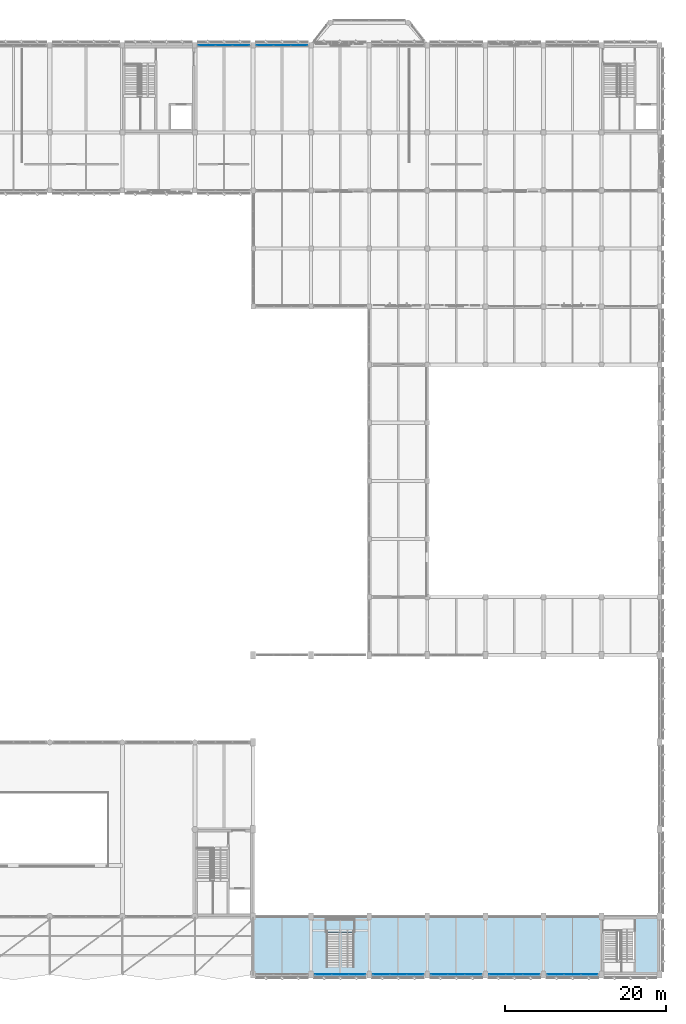
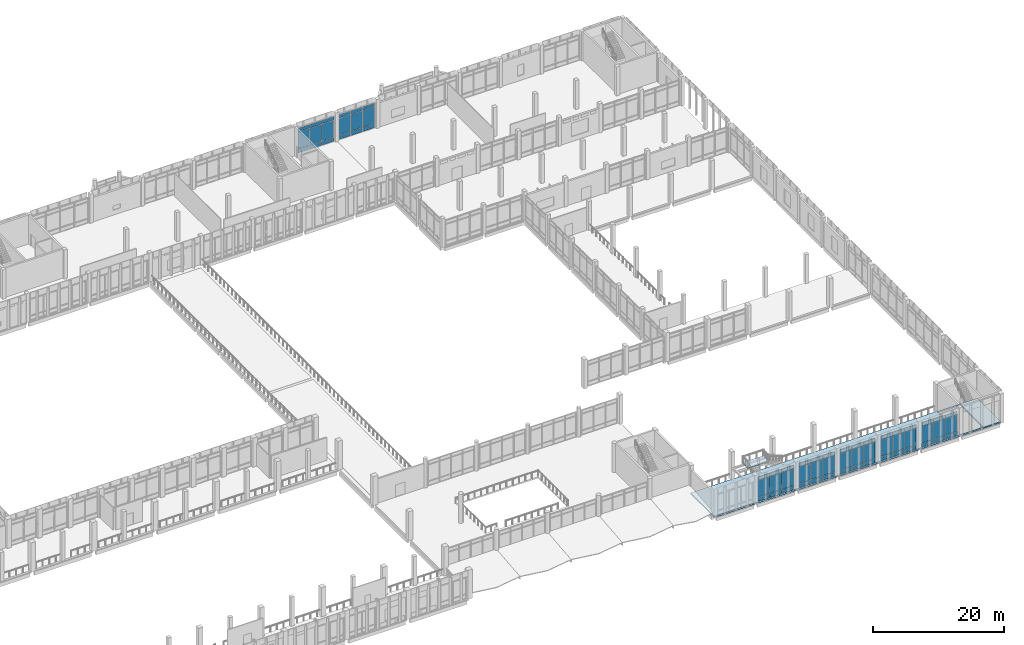
# One storey, part 148 of 180: 63 plates, 2 slabs, 8 elements without a shape of their own.
"""IFC4 building model written with IfcOpenShell, lengths in metres."""

from ifc_helpers import new_model, si_unit, direction, frame, origin, origin_2d, place, context, subcontext, project, spatial, polyline, rectangle, outline, extrude, material, layer, layer_set, type_object, element, aggregate, save


model = new_model("IFC4")

# Units and contexts
model_context = context("Model", 3, precision=1e-05, world=origin(), true_north=direction((0.0, 1.0)))
body_context = subcontext(model_context, "Body", "Model", "MODEL_VIEW")
ifc_project = project(units=[si_unit("LENGTHUNIT", "METRE"), si_unit("AREAUNIT", "SQUARE_METRE"), si_unit("VOLUMEUNIT", "CUBIC_METRE"), si_unit("PLANEANGLEUNIT", "RADIAN"), si_unit("MASSUNIT", "GRAM", prefix="KILO")], contexts=[model_context])

# Site, building, storey
site_placement = place(None, origin())
site = spatial("IfcSite", under=ifc_project, at=site_placement, CompositionType="ELEMENT")
building_placement = place(site_placement, origin())
building = spatial("IfcBuilding", under=site, at=building_placement, Name="Lusvemor Sports Hall", CompositionType="ELEMENT")
storey_placement = place(building_placement, frame((0.0, 0.0, 5.39990234375)))
storey = spatial("IfcBuildingStorey", under=building, at=storey_placement, Name="L01", CompositionType="ELEMENT", Elevation=5.39990234375)

# Curtain wall, plates
ifc_material_1 = material(Name="Thermally broken bronze-anodized aluminium", Category="aluminium")
curtain_wall_type_1 = type_object("IfcCurtainWallType", Name="CW_COURT_C", PredefinedType="NOTDEFINED", material=ifc_material_1)
curtain_wall_1_placement = place(storey_placement, origin())
curtain_wall_1 = element("IfcCurtainWall", 1, at=curtain_wall_1_placement, inside=storey, type_object=curtain_wall_type_1, Name="Curtain Wall CW-V2S-L01-1", PredefinedType="NOTDEFINED")
ifc_material_2 = material(Name="Solar-control laminated double glazing", Category="glass")
ifc_layer_1 = layer(ifc_material_2, 0.028076171875)
ifc_layer_set_1 = layer_set([ifc_layer_1], Name="Solar-control laminated double glazing")
plate_type_1 = type_object("IfcPlateType", Name="CW_PAN_GLZ_28", PredefinedType="CURTAIN_PANEL", material=ifc_layer_set_1)
plate_1_placement = place(storey_placement, frame((131.6904296875, 0.0, 0.880126953125), z_axis=(0.0, 0.0, 1.0), x_axis=(-1.0, 0.0, 0.0)))
plate_1 = element("IfcPlate", 2, at=plate_1_placement, type_object=plate_type_1, Name="CW03 panel 1.2", PredefinedType="CURTAIN_PANEL", context=body_context, shape_type="SweptSolid", body=[
    extrude(rectangle(XDim=2.00927734375, YDim=0.028076171875, at=origin_2d()), origin(), (0.0, 0.0, 1.0), 3.0400390625),
])
plate_2_placement = place(storey_placement, frame((131.6904296875, 0.0, 3.97998046875), z_axis=(0.0, 0.0, 1.0), x_axis=(-1.0, 0.0, 0.0)))
plate_2 = element("IfcPlate", 3, at=plate_2_placement, type_object=plate_type_1, Name="CW03 panel 1.3", PredefinedType="CURTAIN_PANEL", context=body_context, shape_type="SweptSolid", body=[
    extrude(rectangle(XDim=2.00927734375, YDim=0.028076171875, at=origin_2d()), origin(), (0.0, 0.0, 1.0), 0.659912109375),
])
plate_3_placement = place(storey_placement, frame((129.60009765625, 0.0, 0.880126953125), z_axis=(0.0, 0.0, 1.0), x_axis=(-1.0, 0.0, 0.0)))
plate_3 = element("IfcPlate", 4, at=plate_3_placement, type_object=plate_type_1, Name="CW03 panel 2.2", PredefinedType="CURTAIN_PANEL", context=body_context, shape_type="SweptSolid", body=[
    extrude(rectangle(XDim=2.041748046875, YDim=0.028076171875, at=origin_2d()), origin(), (0.0, 0.0, 1.0), 3.0400390625),
])
plate_4_placement = place(storey_placement, frame((129.60009765625, 0.0, 3.97998046875), z_axis=(0.0, 0.0, 1.0), x_axis=(-1.0, 0.0, 0.0)))
plate_4 = element("IfcPlate", 5, at=plate_4_placement, type_object=plate_type_1, Name="CW03 panel 2.3", PredefinedType="CURTAIN_PANEL", context=body_context, shape_type="SweptSolid", body=[
    extrude(rectangle(XDim=2.041748046875, YDim=0.028076171875, at=origin_2d()), origin(), (0.0, 0.0, 1.0), 0.659912109375),
])
plate_5_placement = place(storey_placement, frame((127.509521484375, 0.0, 0.880126953125), z_axis=(0.0, 0.0, 1.0), x_axis=(-1.0, 0.0, 0.0)))
plate_5 = element("IfcPlate", 6, at=plate_5_placement, type_object=plate_type_1, Name="CW03 panel 3.2", PredefinedType="CURTAIN_PANEL", context=body_context, shape_type="SweptSolid", body=[
    extrude(rectangle(XDim=2.00927734375, YDim=0.028076171875, at=origin_2d()), origin(), (0.0, 0.0, 1.0), 3.0400390625),
])
plate_6_placement = place(storey_placement, frame((127.509521484375, 0.0, 3.97998046875), z_axis=(0.0, 0.0, 1.0), x_axis=(-1.0, 0.0, 0.0)))
plate_6 = element("IfcPlate", 7, at=plate_6_placement, type_object=plate_type_1, Name="CW03 panel 3.3", PredefinedType="CURTAIN_PANEL", context=body_context, shape_type="SweptSolid", body=[
    extrude(rectangle(XDim=2.00927734375, YDim=0.028076171875, at=origin_2d()), origin(), (0.0, 0.0, 1.0), 0.659912109375),
])

curtain_wall_2_placement = place(storey_placement, origin())
curtain_wall_2 = element("IfcCurtainWall", 8, at=curtain_wall_2_placement, inside=storey, type_object=curtain_wall_type_1, Name="Curtain Wall CW-V2S-L01-2", PredefinedType="NOTDEFINED")
plate_7_placement = place(storey_placement, frame((138.890380859375, 0.0, 0.880126953125), z_axis=(0.0, 0.0, 1.0), x_axis=(-1.0, 0.0, 0.0)))
plate_7 = element("IfcPlate", 9, at=plate_7_placement, type_object=plate_type_1, Name="CW03 panel 1.2", PredefinedType="CURTAIN_PANEL", context=body_context, shape_type="SweptSolid", body=[
    extrude(rectangle(XDim=2.00927734375, YDim=0.028076171875, at=origin_2d()), origin(), (0.0, 0.0, 1.0), 3.0400390625),
])
plate_8_placement = place(storey_placement, frame((138.890380859375, 0.0, 3.97998046875), z_axis=(0.0, 0.0, 1.0), x_axis=(-1.0, 0.0, 0.0)))
plate_8 = element("IfcPlate", 10, at=plate_8_placement, type_object=plate_type_1, Name="CW03 panel 1.3", PredefinedType="CURTAIN_PANEL", context=body_context, shape_type="SweptSolid", body=[
    extrude(rectangle(XDim=2.00927734375, YDim=0.028076171875, at=origin_2d()), origin(), (0.0, 0.0, 1.0), 0.659912109375),
])
plate_9_placement = place(storey_placement, frame((136.800048828125, 0.0, 0.880126953125), z_axis=(0.0, 0.0, 1.0), x_axis=(-1.0, 0.0, 0.0)))
plate_9 = element("IfcPlate", 11, at=plate_9_placement, type_object=plate_type_1, Name="CW03 panel 2.2", PredefinedType="CURTAIN_PANEL", context=body_context, shape_type="SweptSolid", body=[
    extrude(rectangle(XDim=2.041748046875, YDim=0.028076171875, at=origin_2d()), origin(), (0.0, 0.0, 1.0), 3.0400390625),
])
plate_10_placement = place(storey_placement, frame((136.800048828125, 0.0, 3.97998046875), z_axis=(0.0, 0.0, 1.0), x_axis=(-1.0, 0.0, 0.0)))
plate_10 = element("IfcPlate", 12, at=plate_10_placement, type_object=plate_type_1, Name="CW03 panel 2.3", PredefinedType="CURTAIN_PANEL", context=body_context, shape_type="SweptSolid", body=[
    extrude(rectangle(XDim=2.041748046875, YDim=0.028076171875, at=origin_2d()), origin(), (0.0, 0.0, 1.0), 0.659912109375),
])
plate_11_placement = place(storey_placement, frame((134.70947265625, 0.0, 0.880126953125), z_axis=(0.0, 0.0, 1.0), x_axis=(-1.0, 0.0, 0.0)))
plate_11 = element("IfcPlate", 13, at=plate_11_placement, type_object=plate_type_1, Name="CW03 panel 3.2", PredefinedType="CURTAIN_PANEL", context=body_context, shape_type="SweptSolid", body=[
    extrude(rectangle(XDim=2.00927734375, YDim=0.028076171875, at=origin_2d()), origin(), (0.0, 0.0, 1.0), 3.0400390625),
])
plate_12_placement = place(storey_placement, frame((134.70947265625, 0.0, 3.97998046875), z_axis=(0.0, 0.0, 1.0), x_axis=(-1.0, 0.0, 0.0)))
plate_12 = element("IfcPlate", 14, at=plate_12_placement, type_object=plate_type_1, Name="CW03 panel 3.3", PredefinedType="CURTAIN_PANEL", context=body_context, shape_type="SweptSolid", body=[
    extrude(rectangle(XDim=2.00927734375, YDim=0.028076171875, at=origin_2d()), origin(), (0.0, 0.0, 1.0), 0.659912109375),
])

curtain_wall_3_placement = place(storey_placement, origin())
curtain_wall_3 = element("IfcCurtainWall", 15, at=curtain_wall_3_placement, inside=storey, type_object=curtain_wall_type_1, Name="Curtain Wall CW-V2S-L01-3", PredefinedType="NOTDEFINED")
plate_13_placement = place(storey_placement, frame((146.09033203125, 0.0, 0.880126953125), z_axis=(0.0, 0.0, 1.0), x_axis=(-1.0, 0.0, 0.0)))
plate_13 = element("IfcPlate", 16, at=plate_13_placement, type_object=plate_type_1, Name="CW03 panel 1.2", PredefinedType="CURTAIN_PANEL", context=body_context, shape_type="SweptSolid", body=[
    extrude(rectangle(XDim=2.00927734375, YDim=0.028076171875, at=origin_2d()), origin(), (0.0, 0.0, 1.0), 3.0400390625),
])
plate_14_placement = place(storey_placement, frame((146.09033203125, 0.0, 3.97998046875), z_axis=(0.0, 0.0, 1.0), x_axis=(-1.0, 0.0, 0.0)))
plate_14 = element("IfcPlate", 17, at=plate_14_placement, type_object=plate_type_1, Name="CW03 panel 1.3", PredefinedType="CURTAIN_PANEL", context=body_context, shape_type="SweptSolid", body=[
    extrude(rectangle(XDim=2.00927734375, YDim=0.028076171875, at=origin_2d()), origin(), (0.0, 0.0, 1.0), 0.659912109375),
])
plate_15_placement = place(storey_placement, frame((144.0, 0.0, 0.880126953125), z_axis=(0.0, 0.0, 1.0), x_axis=(-1.0, 0.0, 0.0)))
plate_15 = element("IfcPlate", 18, at=plate_15_placement, type_object=plate_type_1, Name="CW03 panel 2.2", PredefinedType="CURTAIN_PANEL", context=body_context, shape_type="SweptSolid", body=[
    extrude(rectangle(XDim=2.041748046875, YDim=0.028076171875, at=origin_2d()), origin(), (0.0, 0.0, 1.0), 3.0400390625),
])
plate_16_placement = place(storey_placement, frame((144.0, 0.0, 3.97998046875), z_axis=(0.0, 0.0, 1.0), x_axis=(-1.0, 0.0, 0.0)))
plate_16 = element("IfcPlate", 19, at=plate_16_placement, type_object=plate_type_1, Name="CW03 panel 2.3", PredefinedType="CURTAIN_PANEL", context=body_context, shape_type="SweptSolid", body=[
    extrude(rectangle(XDim=2.041748046875, YDim=0.028076171875, at=origin_2d()), origin(), (0.0, 0.0, 1.0), 0.659912109375),
])
plate_17_placement = place(storey_placement, frame((141.90966796875, 0.0, 0.880126953125), z_axis=(0.0, 0.0, 1.0), x_axis=(-1.0, 0.0, 0.0)))
plate_17 = element("IfcPlate", 20, at=plate_17_placement, type_object=plate_type_1, Name="CW03 panel 3.2", PredefinedType="CURTAIN_PANEL", context=body_context, shape_type="SweptSolid", body=[
    extrude(rectangle(XDim=2.00927734375, YDim=0.028076171875, at=origin_2d()), origin(), (0.0, 0.0, 1.0), 3.0400390625),
])
plate_18_placement = place(storey_placement, frame((141.90966796875, 0.0, 3.97998046875), z_axis=(0.0, 0.0, 1.0), x_axis=(-1.0, 0.0, 0.0)))
plate_18 = element("IfcPlate", 21, at=plate_18_placement, type_object=plate_type_1, Name="CW03 panel 3.3", PredefinedType="CURTAIN_PANEL", context=body_context, shape_type="SweptSolid", body=[
    extrude(rectangle(XDim=2.00927734375, YDim=0.028076171875, at=origin_2d()), origin(), (0.0, 0.0, 1.0), 0.659912109375),
])

curtain_wall_4_placement = place(storey_placement, origin())
curtain_wall_4 = element("IfcCurtainWall", 22, at=curtain_wall_4_placement, inside=storey, type_object=curtain_wall_type_1, Name="Curtain Wall CW-V2S-L01-4", PredefinedType="NOTDEFINED")
plate_19_placement = place(storey_placement, frame((153.29052734375, 0.0, 0.880126953125), z_axis=(0.0, 0.0, 1.0), x_axis=(-1.0, 0.0, 0.0)))
plate_19 = element("IfcPlate", 23, at=plate_19_placement, type_object=plate_type_1, Name="CW03 panel 1.2", PredefinedType="CURTAIN_PANEL", context=body_context, shape_type="SweptSolid", body=[
    extrude(rectangle(XDim=2.00927734375, YDim=0.028076171875, at=origin_2d()), origin(), (0.0, 0.0, 1.0), 3.0400390625),
])
plate_20_placement = place(storey_placement, frame((153.29052734375, 0.0, 3.97998046875), z_axis=(0.0, 0.0, 1.0), x_axis=(-1.0, 0.0, 0.0)))
plate_20 = element("IfcPlate", 24, at=plate_20_placement, type_object=plate_type_1, Name="CW03 panel 1.3", PredefinedType="CURTAIN_PANEL", context=body_context, shape_type="SweptSolid", body=[
    extrude(rectangle(XDim=2.00927734375, YDim=0.028076171875, at=origin_2d()), origin(), (0.0, 0.0, 1.0), 0.659912109375),
])
plate_21_placement = place(storey_placement, frame((151.199951171875, 0.0, 0.880126953125), z_axis=(0.0, 0.0, 1.0), x_axis=(-1.0, 0.0, 0.0)))
plate_21 = element("IfcPlate", 25, at=plate_21_placement, type_object=plate_type_1, Name="CW03 panel 2.2", PredefinedType="CURTAIN_PANEL", context=body_context, shape_type="SweptSolid", body=[
    extrude(rectangle(XDim=2.041748046875, YDim=0.028076171875, at=origin_2d()), origin(), (0.0, 0.0, 1.0), 3.0400390625),
])
plate_22_placement = place(storey_placement, frame((151.199951171875, 0.0, 3.97998046875), z_axis=(0.0, 0.0, 1.0), x_axis=(-1.0, 0.0, 0.0)))
plate_22 = element("IfcPlate", 26, at=plate_22_placement, type_object=plate_type_1, Name="CW03 panel 2.3", PredefinedType="CURTAIN_PANEL", context=body_context, shape_type="SweptSolid", body=[
    extrude(rectangle(XDim=2.041748046875, YDim=0.028076171875, at=origin_2d()), origin(), (0.0, 0.0, 1.0), 0.659912109375),
])
plate_23_placement = place(storey_placement, frame((149.109619140625, 0.0, 0.880126953125), z_axis=(0.0, 0.0, 1.0), x_axis=(-1.0, 0.0, 0.0)))
plate_23 = element("IfcPlate", 27, at=plate_23_placement, type_object=plate_type_1, Name="CW03 panel 3.2", PredefinedType="CURTAIN_PANEL", context=body_context, shape_type="SweptSolid", body=[
    extrude(rectangle(XDim=2.00927734375, YDim=0.028076171875, at=origin_2d()), origin(), (0.0, 0.0, 1.0), 3.0400390625),
])
plate_24_placement = place(storey_placement, frame((149.109619140625, 0.0, 3.97998046875), z_axis=(0.0, 0.0, 1.0), x_axis=(-1.0, 0.0, 0.0)))
plate_24 = element("IfcPlate", 28, at=plate_24_placement, type_object=plate_type_1, Name="CW03 panel 3.3", PredefinedType="CURTAIN_PANEL", context=body_context, shape_type="SweptSolid", body=[
    extrude(rectangle(XDim=2.00927734375, YDim=0.028076171875, at=origin_2d()), origin(), (0.0, 0.0, 1.0), 0.659912109375),
])

curtain_wall_5_placement = place(storey_placement, origin())
curtain_wall_5 = element("IfcCurtainWall", 29, at=curtain_wall_5_placement, inside=storey, type_object=curtain_wall_type_1, Name="Curtain Wall CW-V2S-L01-5", PredefinedType="NOTDEFINED")
plate_25_placement = place(storey_placement, frame((160.490478515625, 0.0, 0.880126953125), z_axis=(0.0, 0.0, 1.0), x_axis=(-1.0, 0.0, 0.0)))
plate_25 = element("IfcPlate", 30, at=plate_25_placement, type_object=plate_type_1, Name="CW03 panel 1.2", PredefinedType="CURTAIN_PANEL", context=body_context, shape_type="SweptSolid", body=[
    extrude(rectangle(XDim=2.00927734375, YDim=0.028076171875, at=origin_2d()), origin(), (0.0, 0.0, 1.0), 3.0400390625),
])
plate_26_placement = place(storey_placement, frame((160.490478515625, 0.0, 3.97998046875), z_axis=(0.0, 0.0, 1.0), x_axis=(-1.0, 0.0, 0.0)))
plate_26 = element("IfcPlate", 31, at=plate_26_placement, type_object=plate_type_1, Name="CW03 panel 1.3", PredefinedType="CURTAIN_PANEL", context=body_context, shape_type="SweptSolid", body=[
    extrude(rectangle(XDim=2.00927734375, YDim=0.028076171875, at=origin_2d()), origin(), (0.0, 0.0, 1.0), 0.659912109375),
])
plate_27_placement = place(storey_placement, frame((158.39990234375, 0.0, 0.880126953125), z_axis=(0.0, 0.0, 1.0), x_axis=(-1.0, 0.0, 0.0)))
plate_27 = element("IfcPlate", 32, at=plate_27_placement, type_object=plate_type_1, Name="CW03 panel 2.2", PredefinedType="CURTAIN_PANEL", context=body_context, shape_type="SweptSolid", body=[
    extrude(rectangle(XDim=2.041748046875, YDim=0.028076171875, at=origin_2d()), origin(), (0.0, 0.0, 1.0), 3.0400390625),
])
plate_28_placement = place(storey_placement, frame((158.39990234375, 0.0, 3.97998046875), z_axis=(0.0, 0.0, 1.0), x_axis=(-1.0, 0.0, 0.0)))
plate_28 = element("IfcPlate", 33, at=plate_28_placement, type_object=plate_type_1, Name="CW03 panel 2.3", PredefinedType="CURTAIN_PANEL", context=body_context, shape_type="SweptSolid", body=[
    extrude(rectangle(XDim=2.041748046875, YDim=0.028076171875, at=origin_2d()), origin(), (0.0, 0.0, 1.0), 0.659912109375),
])
plate_29_placement = place(storey_placement, frame((156.3095703125, 0.0, 0.880126953125), z_axis=(0.0, 0.0, 1.0), x_axis=(-1.0, 0.0, 0.0)))
plate_29 = element("IfcPlate", 34, at=plate_29_placement, type_object=plate_type_1, Name="CW03 panel 3.2", PredefinedType="CURTAIN_PANEL", context=body_context, shape_type="SweptSolid", body=[
    extrude(rectangle(XDim=2.00927734375, YDim=0.028076171875, at=origin_2d()), origin(), (0.0, 0.0, 1.0), 3.0400390625),
])
plate_30_placement = place(storey_placement, frame((156.3095703125, 0.0, 3.97998046875), z_axis=(0.0, 0.0, 1.0), x_axis=(-1.0, 0.0, 0.0)))
plate_30 = element("IfcPlate", 35, at=plate_30_placement, type_object=plate_type_1, Name="CW03 panel 3.3", PredefinedType="CURTAIN_PANEL", context=body_context, shape_type="SweptSolid", body=[
    extrude(rectangle(XDim=2.00927734375, YDim=0.028076171875, at=origin_2d()), origin(), (0.0, 0.0, 1.0), 0.659912109375),
])

ifc_material_3 = material(Name="Thermally broken bronze-anodized aluminium", Category="aluminium")
curtain_wall_type_2 = type_object("IfcCurtainWallType", Name="CW_WING_B", PredefinedType="NOTDEFINED", material=ifc_material_3)
curtain_wall_6_placement = place(storey_placement, origin())
curtain_wall_6 = element("IfcCurtainWall", 36, at=curtain_wall_6_placement, inside=storey, type_object=curtain_wall_type_2, Name="Curtain Wall CW-L01-N-1-11", PredefinedType="NOTDEFINED")
plate_31_placement = place(storey_placement, frame((113.09619140625, 115.199951171875, 0.880126953125), z_axis=(0.0, 0.0, 1.0), x_axis=(1.0, 0.0, 0.0)))
plate_31 = element("IfcPlate", 37, at=plate_31_placement, type_object=plate_type_1, Name="CW02 panel 1.2", PredefinedType="CURTAIN_PANEL", context=body_context, shape_type="SweptSolid", body=[
    extrude(rectangle(XDim=2.0224609375, YDim=0.028076171875, at=origin_2d()), origin(), (0.0, 0.0, 1.0), 3.06005859375),
])
plate_32_placement = place(storey_placement, frame((113.09619140625, 115.199951171875, 4.0), z_axis=(0.0, 0.0, 1.0), x_axis=(1.0, 0.0, 0.0)))
plate_32 = element("IfcPlate", 38, at=plate_32_placement, type_object=plate_type_1, Name="CW02 panel 1.3", PredefinedType="CURTAIN_PANEL", context=body_context, shape_type="SweptSolid", body=[
    extrude(rectangle(XDim=2.0224609375, YDim=0.028076171875, at=origin_2d()), origin(), (0.0, 0.0, 1.0), 0.659912109375),
])
plate_33_placement = place(storey_placement, frame((115.199951171875, 115.199951171875, 0.880126953125), z_axis=(0.0, 0.0, 1.0), x_axis=(1.0, 0.0, 0.0)))
plate_33 = element("IfcPlate", 39, at=plate_33_placement, type_object=plate_type_1, Name="CW02 panel 2.2", PredefinedType="CURTAIN_PANEL", context=body_context, shape_type="SweptSolid", body=[
    extrude(rectangle(XDim=2.054931640625, YDim=0.028076171875, at=origin_2d()), origin(), (0.0, 0.0, 1.0), 3.06005859375),
])
plate_34_placement = place(storey_placement, frame((115.199951171875, 115.199951171875, 4.0), z_axis=(0.0, 0.0, 1.0), x_axis=(1.0, 0.0, 0.0)))
plate_34 = element("IfcPlate", 40, at=plate_34_placement, type_object=plate_type_1, Name="CW02 panel 2.3", PredefinedType="CURTAIN_PANEL", context=body_context, shape_type="SweptSolid", body=[
    extrude(rectangle(XDim=2.054931640625, YDim=0.028076171875, at=origin_2d()), origin(), (0.0, 0.0, 1.0), 0.659912109375),
])
plate_35_placement = place(storey_placement, frame((117.3037109375, 115.199951171875, 0.880126953125), z_axis=(0.0, 0.0, 1.0), x_axis=(1.0, 0.0, 0.0)))
plate_35 = element("IfcPlate", 41, at=plate_35_placement, type_object=plate_type_1, Name="CW02 panel 3.2", PredefinedType="CURTAIN_PANEL", context=body_context, shape_type="SweptSolid", body=[
    extrude(rectangle(XDim=2.0224609375, YDim=0.028076171875, at=origin_2d()), origin(), (0.0, 0.0, 1.0), 3.06005859375),
])
plate_36_placement = place(storey_placement, frame((117.3037109375, 115.199951171875, 4.0), z_axis=(0.0, 0.0, 1.0), x_axis=(1.0, 0.0, 0.0)))
plate_36 = element("IfcPlate", 42, at=plate_36_placement, type_object=plate_type_1, Name="CW02 panel 3.3", PredefinedType="CURTAIN_PANEL", context=body_context, shape_type="SweptSolid", body=[
    extrude(rectangle(XDim=2.0224609375, YDim=0.028076171875, at=origin_2d()), origin(), (0.0, 0.0, 1.0), 0.659912109375),
])

curtain_wall_7_placement = place(storey_placement, origin())
curtain_wall_7 = element("IfcCurtainWall", 43, at=curtain_wall_7_placement, inside=storey, type_object=curtain_wall_type_2, Name="Curtain Wall CW-L01-N-1-12", PredefinedType="NOTDEFINED")
plate_37_placement = place(storey_placement, frame((120.296142578125, 115.199951171875, 0.880126953125), z_axis=(0.0, 0.0, 1.0), x_axis=(1.0, 0.0, 0.0)))
plate_37 = element("IfcPlate", 44, at=plate_37_placement, type_object=plate_type_1, Name="CW02 panel 1.2", PredefinedType="CURTAIN_PANEL", context=body_context, shape_type="SweptSolid", body=[
    extrude(rectangle(XDim=2.0224609375, YDim=0.028076171875, at=origin_2d()), origin(), (0.0, 0.0, 1.0), 3.06005859375),
])
plate_38_placement = place(storey_placement, frame((120.296142578125, 115.199951171875, 4.0), z_axis=(0.0, 0.0, 1.0), x_axis=(1.0, 0.0, 0.0)))
plate_38 = element("IfcPlate", 45, at=plate_38_placement, type_object=plate_type_1, Name="CW02 panel 1.3", PredefinedType="CURTAIN_PANEL", context=body_context, shape_type="SweptSolid", body=[
    extrude(rectangle(XDim=2.0224609375, YDim=0.028076171875, at=origin_2d()), origin(), (0.0, 0.0, 1.0), 0.659912109375),
])
plate_39_placement = place(storey_placement, frame((122.39990234375, 115.199951171875, 0.880126953125), z_axis=(0.0, 0.0, 1.0), x_axis=(1.0, 0.0, 0.0)))
plate_39 = element("IfcPlate", 46, at=plate_39_placement, type_object=plate_type_1, Name="CW02 panel 2.2", PredefinedType="CURTAIN_PANEL", context=body_context, shape_type="SweptSolid", body=[
    extrude(rectangle(XDim=2.054931640625, YDim=0.028076171875, at=origin_2d()), origin(), (0.0, 0.0, 1.0), 3.06005859375),
])
plate_40_placement = place(storey_placement, frame((122.39990234375, 115.199951171875, 4.0), z_axis=(0.0, 0.0, 1.0), x_axis=(1.0, 0.0, 0.0)))
plate_40 = element("IfcPlate", 47, at=plate_40_placement, type_object=plate_type_1, Name="CW02 panel 2.3", PredefinedType="CURTAIN_PANEL", context=body_context, shape_type="SweptSolid", body=[
    extrude(rectangle(XDim=2.054931640625, YDim=0.028076171875, at=origin_2d()), origin(), (0.0, 0.0, 1.0), 0.659912109375),
])
plate_41_placement = place(storey_placement, frame((124.503662109375, 115.199951171875, 0.880126953125), z_axis=(0.0, 0.0, 1.0), x_axis=(1.0, 0.0, 0.0)))
plate_41 = element("IfcPlate", 48, at=plate_41_placement, type_object=plate_type_1, Name="CW02 panel 3.2", PredefinedType="CURTAIN_PANEL", context=body_context, shape_type="SweptSolid", body=[
    extrude(rectangle(XDim=2.0224609375, YDim=0.028076171875, at=origin_2d()), origin(), (0.0, 0.0, 1.0), 3.06005859375),
])
plate_42_placement = place(storey_placement, frame((124.503662109375, 115.199951171875, 4.0), z_axis=(0.0, 0.0, 1.0), x_axis=(1.0, 0.0, 0.0)))
plate_42 = element("IfcPlate", 49, at=plate_42_placement, type_object=plate_type_1, Name="CW02 panel 3.3", PredefinedType="CURTAIN_PANEL", context=body_context, shape_type="SweptSolid", body=[
    extrude(rectangle(XDim=2.0224609375, YDim=0.028076171875, at=origin_2d()), origin(), (0.0, 0.0, 1.0), 0.659912109375),
])

# Plate
ifc_material_4 = material(Name="Emerald polychrome glazed ceramic cladding on Concrete C40/50 backing", Category="concrete")
ifc_layer_2 = layer(ifc_material_4, 0.048095703125)
ifc_layer_set_2 = layer_set([ifc_layer_2], Name="Emerald polychrome glazed ceramic cladding on Concrete C40/50 backing")
plate_type_2 = type_object("IfcPlateType", Name="CW_PAN_SPN_48", PredefinedType="CURTAIN_PANEL", material=ifc_layer_set_2)
plate_43_placement = place(storey_placement, frame((131.6904296875, 0.0, 0.06005859375), z_axis=(0.0, 0.0, 1.0), x_axis=(-1.0, 0.0, 0.0)))
plate_43 = element("IfcPlate", 50, at=plate_43_placement, type_object=plate_type_2, Name="CW03 panel 1.1", PredefinedType="CURTAIN_PANEL", context=body_context, shape_type="SweptSolid", body=[
    extrude(rectangle(XDim=2.00927734375, YDim=0.048095703125, at=origin_2d()), origin(), (0.0, 0.0, 1.0), 0.760009765625),
])

plate_44_placement = place(storey_placement, frame((129.60009765625, 0.0, 0.06005859375), z_axis=(0.0, 0.0, 1.0), x_axis=(-1.0, 0.0, 0.0)))
plate_44 = element("IfcPlate", 51, at=plate_44_placement, type_object=plate_type_2, Name="CW03 panel 2.1", PredefinedType="CURTAIN_PANEL", context=body_context, shape_type="SweptSolid", body=[
    extrude(rectangle(XDim=2.041748046875, YDim=0.048095703125, at=origin_2d()), origin(), (0.0, 0.0, 1.0), 0.760009765625),
])

plate_45_placement = place(storey_placement, frame((127.509521484375, 0.0, 0.06005859375), z_axis=(0.0, 0.0, 1.0), x_axis=(-1.0, 0.0, 0.0)))
plate_45 = element("IfcPlate", 52, at=plate_45_placement, type_object=plate_type_2, Name="CW03 panel 3.1", PredefinedType="CURTAIN_PANEL", context=body_context, shape_type="SweptSolid", body=[
    extrude(rectangle(XDim=2.00927734375, YDim=0.048095703125, at=origin_2d()), origin(), (0.0, 0.0, 1.0), 0.760009765625),
])

aggregate(curtain_wall_1, [plate_43, plate_1, plate_2, plate_44, plate_3, plate_4, plate_45, plate_5, plate_6])

plate_46_placement = place(storey_placement, frame((138.890380859375, 0.0, 0.06005859375), z_axis=(0.0, 0.0, 1.0), x_axis=(-1.0, 0.0, 0.0)))
plate_46 = element("IfcPlate", 53, at=plate_46_placement, type_object=plate_type_2, Name="CW03 panel 1.1", PredefinedType="CURTAIN_PANEL", context=body_context, shape_type="SweptSolid", body=[
    extrude(rectangle(XDim=2.00927734375, YDim=0.048095703125, at=origin_2d()), origin(), (0.0, 0.0, 1.0), 0.760009765625),
])

plate_47_placement = place(storey_placement, frame((136.800048828125, 0.0, 0.06005859375), z_axis=(0.0, 0.0, 1.0), x_axis=(-1.0, 0.0, 0.0)))
plate_47 = element("IfcPlate", 54, at=plate_47_placement, type_object=plate_type_2, Name="CW03 panel 2.1", PredefinedType="CURTAIN_PANEL", context=body_context, shape_type="SweptSolid", body=[
    extrude(rectangle(XDim=2.041748046875, YDim=0.048095703125, at=origin_2d()), origin(), (0.0, 0.0, 1.0), 0.760009765625),
])

plate_48_placement = place(storey_placement, frame((134.70947265625, 0.0, 0.06005859375), z_axis=(0.0, 0.0, 1.0), x_axis=(-1.0, 0.0, 0.0)))
plate_48 = element("IfcPlate", 55, at=plate_48_placement, type_object=plate_type_2, Name="CW03 panel 3.1", PredefinedType="CURTAIN_PANEL", context=body_context, shape_type="SweptSolid", body=[
    extrude(rectangle(XDim=2.00927734375, YDim=0.048095703125, at=origin_2d()), origin(), (0.0, 0.0, 1.0), 0.760009765625),
])

aggregate(curtain_wall_2, [plate_46, plate_7, plate_8, plate_47, plate_9, plate_10, plate_48, plate_11, plate_12])

plate_49_placement = place(storey_placement, frame((146.09033203125, 0.0, 0.06005859375), z_axis=(0.0, 0.0, 1.0), x_axis=(-1.0, 0.0, 0.0)))
plate_49 = element("IfcPlate", 56, at=plate_49_placement, type_object=plate_type_2, Name="CW03 panel 1.1", PredefinedType="CURTAIN_PANEL", context=body_context, shape_type="SweptSolid", body=[
    extrude(rectangle(XDim=2.00927734375, YDim=0.048095703125, at=origin_2d()), origin(), (0.0, 0.0, 1.0), 0.760009765625),
])

plate_50_placement = place(storey_placement, frame((144.0, 0.0, 0.06005859375), z_axis=(0.0, 0.0, 1.0), x_axis=(-1.0, 0.0, 0.0)))
plate_50 = element("IfcPlate", 57, at=plate_50_placement, type_object=plate_type_2, Name="CW03 panel 2.1", PredefinedType="CURTAIN_PANEL", context=body_context, shape_type="SweptSolid", body=[
    extrude(rectangle(XDim=2.041748046875, YDim=0.048095703125, at=origin_2d()), origin(), (0.0, 0.0, 1.0), 0.760009765625),
])

plate_51_placement = place(storey_placement, frame((141.90966796875, 0.0, 0.06005859375), z_axis=(0.0, 0.0, 1.0), x_axis=(-1.0, 0.0, 0.0)))
plate_51 = element("IfcPlate", 58, at=plate_51_placement, type_object=plate_type_2, Name="CW03 panel 3.1", PredefinedType="CURTAIN_PANEL", context=body_context, shape_type="SweptSolid", body=[
    extrude(rectangle(XDim=2.00927734375, YDim=0.048095703125, at=origin_2d()), origin(), (0.0, 0.0, 1.0), 0.760009765625),
])

aggregate(curtain_wall_3, [plate_49, plate_13, plate_14, plate_50, plate_15, plate_16, plate_51, plate_17, plate_18])

plate_52_placement = place(storey_placement, frame((153.29052734375, 0.0, 0.06005859375), z_axis=(0.0, 0.0, 1.0), x_axis=(-1.0, 0.0, 0.0)))
plate_52 = element("IfcPlate", 59, at=plate_52_placement, type_object=plate_type_2, Name="CW03 panel 1.1", PredefinedType="CURTAIN_PANEL", context=body_context, shape_type="SweptSolid", body=[
    extrude(rectangle(XDim=2.00927734375, YDim=0.048095703125, at=origin_2d()), origin(), (0.0, 0.0, 1.0), 0.760009765625),
])

plate_53_placement = place(storey_placement, frame((151.199951171875, 0.0, 0.06005859375), z_axis=(0.0, 0.0, 1.0), x_axis=(-1.0, 0.0, 0.0)))
plate_53 = element("IfcPlate", 60, at=plate_53_placement, type_object=plate_type_2, Name="CW03 panel 2.1", PredefinedType="CURTAIN_PANEL", context=body_context, shape_type="SweptSolid", body=[
    extrude(rectangle(XDim=2.041748046875, YDim=0.048095703125, at=origin_2d()), origin(), (0.0, 0.0, 1.0), 0.760009765625),
])

plate_54_placement = place(storey_placement, frame((149.109619140625, 0.0, 0.06005859375), z_axis=(0.0, 0.0, 1.0), x_axis=(-1.0, 0.0, 0.0)))
plate_54 = element("IfcPlate", 61, at=plate_54_placement, type_object=plate_type_2, Name="CW03 panel 3.1", PredefinedType="CURTAIN_PANEL", context=body_context, shape_type="SweptSolid", body=[
    extrude(rectangle(XDim=2.00927734375, YDim=0.048095703125, at=origin_2d()), origin(), (0.0, 0.0, 1.0), 0.760009765625),
])

aggregate(curtain_wall_4, [plate_52, plate_19, plate_20, plate_53, plate_21, plate_22, plate_54, plate_23, plate_24])

plate_55_placement = place(storey_placement, frame((160.490478515625, 0.0, 0.06005859375), z_axis=(0.0, 0.0, 1.0), x_axis=(-1.0, 0.0, 0.0)))
plate_55 = element("IfcPlate", 62, at=plate_55_placement, type_object=plate_type_2, Name="CW03 panel 1.1", PredefinedType="CURTAIN_PANEL", context=body_context, shape_type="SweptSolid", body=[
    extrude(rectangle(XDim=2.00927734375, YDim=0.048095703125, at=origin_2d()), origin(), (0.0, 0.0, 1.0), 0.760009765625),
])

plate_56_placement = place(storey_placement, frame((158.39990234375, 0.0, 0.06005859375), z_axis=(0.0, 0.0, 1.0), x_axis=(-1.0, 0.0, 0.0)))
plate_56 = element("IfcPlate", 63, at=plate_56_placement, type_object=plate_type_2, Name="CW03 panel 2.1", PredefinedType="CURTAIN_PANEL", context=body_context, shape_type="SweptSolid", body=[
    extrude(rectangle(XDim=2.041748046875, YDim=0.048095703125, at=origin_2d()), origin(), (0.0, 0.0, 1.0), 0.760009765625),
])

plate_57_placement = place(storey_placement, frame((156.3095703125, 0.0, 0.06005859375), z_axis=(0.0, 0.0, 1.0), x_axis=(-1.0, 0.0, 0.0)))
plate_57 = element("IfcPlate", 64, at=plate_57_placement, type_object=plate_type_2, Name="CW03 panel 3.1", PredefinedType="CURTAIN_PANEL", context=body_context, shape_type="SweptSolid", body=[
    extrude(rectangle(XDim=2.00927734375, YDim=0.048095703125, at=origin_2d()), origin(), (0.0, 0.0, 1.0), 0.760009765625),
])

aggregate(curtain_wall_5, [plate_55, plate_25, plate_26, plate_56, plate_27, plate_28, plate_57, plate_29, plate_30])

plate_58_placement = place(storey_placement, frame((113.09619140625, 115.199951171875, 0.06005859375), z_axis=(0.0, 0.0, 1.0), x_axis=(1.0, 0.0, 0.0)))
plate_58 = element("IfcPlate", 65, at=plate_58_placement, type_object=plate_type_2, Name="CW02 panel 1.1", PredefinedType="CURTAIN_PANEL", context=body_context, shape_type="SweptSolid", body=[
    extrude(rectangle(XDim=2.0224609375, YDim=0.048095703125, at=origin_2d()), origin(), (0.0, 0.0, 1.0), 0.760009765625),
])

plate_59_placement = place(storey_placement, frame((115.199951171875, 115.199951171875, 0.06005859375), z_axis=(0.0, 0.0, 1.0), x_axis=(1.0, 0.0, 0.0)))
plate_59 = element("IfcPlate", 66, at=plate_59_placement, type_object=plate_type_2, Name="CW02 panel 2.1", PredefinedType="CURTAIN_PANEL", context=body_context, shape_type="SweptSolid", body=[
    extrude(rectangle(XDim=2.054931640625, YDim=0.048095703125, at=origin_2d()), origin(), (0.0, 0.0, 1.0), 0.760009765625),
])

plate_60_placement = place(storey_placement, frame((117.3037109375, 115.199951171875, 0.06005859375), z_axis=(0.0, 0.0, 1.0), x_axis=(1.0, 0.0, 0.0)))
plate_60 = element("IfcPlate", 67, at=plate_60_placement, type_object=plate_type_2, Name="CW02 panel 3.1", PredefinedType="CURTAIN_PANEL", context=body_context, shape_type="SweptSolid", body=[
    extrude(rectangle(XDim=2.0224609375, YDim=0.048095703125, at=origin_2d()), origin(), (0.0, 0.0, 1.0), 0.760009765625),
])

aggregate(curtain_wall_6, [plate_58, plate_31, plate_32, plate_59, plate_33, plate_34, plate_60, plate_35, plate_36])

plate_61_placement = place(storey_placement, frame((120.296142578125, 115.199951171875, 0.06005859375), z_axis=(0.0, 0.0, 1.0), x_axis=(1.0, 0.0, 0.0)))
plate_61 = element("IfcPlate", 68, at=plate_61_placement, type_object=plate_type_2, Name="CW02 panel 1.1", PredefinedType="CURTAIN_PANEL", context=body_context, shape_type="SweptSolid", body=[
    extrude(rectangle(XDim=2.0224609375, YDim=0.048095703125, at=origin_2d()), origin(), (0.0, 0.0, 1.0), 0.760009765625),
])

plate_62_placement = place(storey_placement, frame((122.39990234375, 115.199951171875, 0.06005859375), z_axis=(0.0, 0.0, 1.0), x_axis=(1.0, 0.0, 0.0)))
plate_62 = element("IfcPlate", 69, at=plate_62_placement, type_object=plate_type_2, Name="CW02 panel 2.1", PredefinedType="CURTAIN_PANEL", context=body_context, shape_type="SweptSolid", body=[
    extrude(rectangle(XDim=2.054931640625, YDim=0.048095703125, at=origin_2d()), origin(), (0.0, 0.0, 1.0), 0.760009765625),
])

plate_63_placement = place(storey_placement, frame((124.503662109375, 115.199951171875, 0.06005859375), z_axis=(0.0, 0.0, 1.0), x_axis=(1.0, 0.0, 0.0)))
plate_63 = element("IfcPlate", 70, at=plate_63_placement, type_object=plate_type_2, Name="CW02 panel 3.1", PredefinedType="CURTAIN_PANEL", context=body_context, shape_type="SweptSolid", body=[
    extrude(rectangle(XDim=2.0224609375, YDim=0.048095703125, at=origin_2d()), origin(), (0.0, 0.0, 1.0), 0.760009765625),
])

aggregate(curtain_wall_7, [plate_61, plate_37, plate_38, plate_62, plate_39, plate_40, plate_63, plate_41, plate_42])

# Slab
ifc_material_5 = material(Name="Concrete C40/50", Category="concrete")
ifc_layer_3 = layer(ifc_material_5, 0.260009765625)
ifc_layer_set_3 = layer_set([ifc_layer_3], Name="Concrete C40/50")
slab_type_1 = type_object("IfcSlabType", Name="SLAB_INT_260", PredefinedType="FLOOR", material=ifc_layer_set_3)
slab_1_placement = place(storey_placement, frame((0.0, 0.0, -0.260009765625)))
element("IfcSlab", 71, at=slab_1_placement, inside=storey, type_object=slab_type_1, Name="Slab L01 V2-SCONC", PredefinedType="FLOOR", context=body_context, shape_type="SweptSolid", body=[
    extrude(outline(polyline([(118.800048828125, 0.0), (169.199951171875, 0.0), (169.199951171875, 7.199951171875), (118.800048828125, 7.199951171875), (118.800048828125, 0.0)]), holes=[polyline([(162.159912109375, 0.159912109375), (166.139892578125, 0.159912109375), (166.139892578125, 7.0400390625), (162.159912109375, 7.0400390625), (162.159912109375, 0.159912109375)])]), origin(), (0.0, 0.0, 1.0), 0.260009765625),
])

# Stair, slab
ifc_material_6 = material(Name="Concrete C40/50", Category="concrete")
stair_type = type_object("IfcStairType", Name="STAIR_GALLERY_540", PredefinedType="STRAIGHT_RUN_STAIR", material=ifc_material_6)
stair_placement = place(storey_placement, origin())
stair = element("IfcStair", 72, at=stair_placement, inside=storey, type_object=stair_type, Name="East Concourse Spectator Stair L01-L02", PredefinedType="STRAIGHT_RUN_STAIR")
ifc_material_7 = material(Name="Precast concrete C40/50", Category="concrete")
ifc_layer_4 = layer(ifc_material_7, 0.218017578125)
ifc_layer_set_4 = layer_set([ifc_layer_4], Name="Precast concrete C40/50")
slab_type_2 = type_object("IfcSlabType", Name="SLAB_LAND_218", PredefinedType="LANDING", material=ifc_layer_set_4)
slab_2_placement = place(storey_placement, frame((0.0, 0.0, 2.482177734375)))
slab_2 = element("IfcSlab", 73, at=slab_2_placement, type_object=slab_type_2, Name="ST04 landing 1", PredefinedType="LANDING", context=body_context, shape_type="SweptSolid", body=[
    extrude(outline(polyline([(127.75, 5.2099609375), (131.449951171875, 5.2099609375), (131.449951171875, 6.89990234375), (127.75, 6.89990234375), (127.75, 5.2099609375)])), origin(), (0.0, 0.0, 1.0), 0.218017578125),
])
aggregate(stair, [slab_2])

save(model, "model.ifc")
